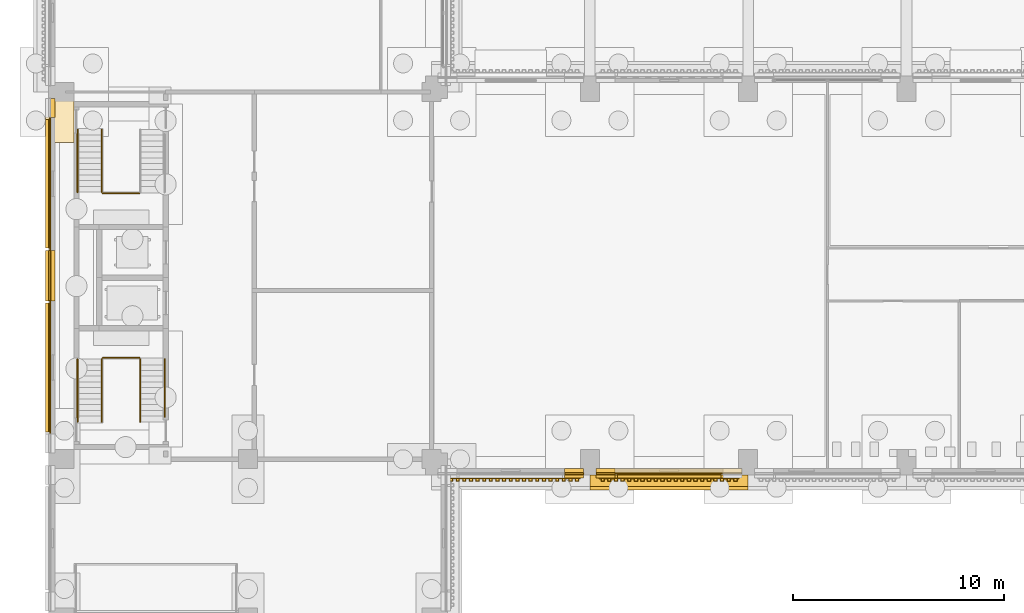
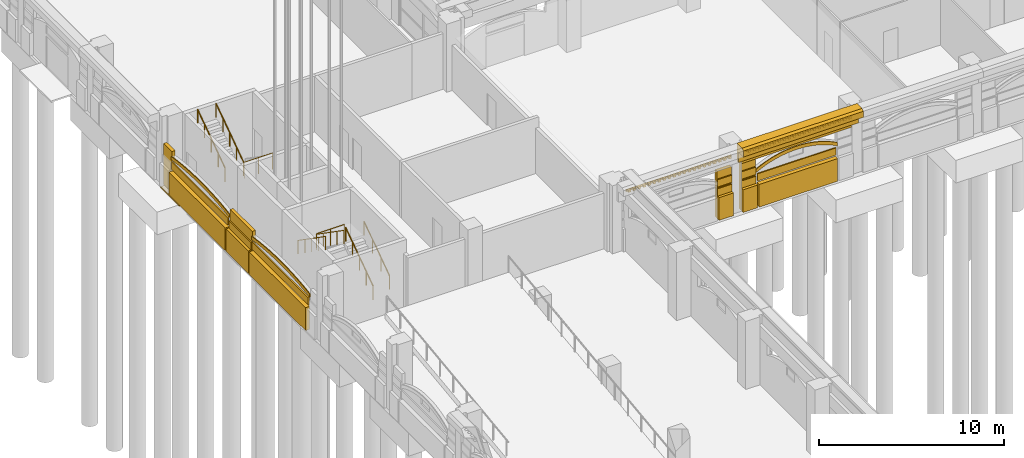
# One storey, part 64 of 99: 26 coverings, 8 railings.
"""IFC4 building model written with IfcOpenShell, lengths in metres."""

from ifc_helpers import new_model, si_unit, direction, frame, origin, origin_2d, place, context, subcontext, project, spatial, polyline, circle, outline, extrude, material, layer, layer_set, type_object, element, save


model = new_model("IFC4")

# Units and contexts
model_context = context("Model", 3, precision=1e-05, world=origin(), true_north=direction((0.0, 1.0)))
body_context = subcontext(model_context, "Body", "Model", "MODEL_VIEW")
ifc_project = project(units=[si_unit("LENGTHUNIT", "METRE"), si_unit("AREAUNIT", "SQUARE_METRE"), si_unit("VOLUMEUNIT", "CUBIC_METRE"), si_unit("PLANEANGLEUNIT", "RADIAN"), si_unit("MASSUNIT", "GRAM", prefix="KILO")], contexts=[model_context])

# Site, building, storey
site_placement = place(None, origin())
site = spatial("IfcSite", under=ifc_project, at=site_placement, CompositionType="ELEMENT")
building_placement = place(site_placement, origin())
building = spatial("IfcBuilding", under=site, at=building_placement, Name="Cour d'Honneur Mobility Palace", CompositionType="ELEMENT")
storey_placement = place(building_placement, origin())
storey = spatial("IfcBuildingStorey", under=building, at=storey_placement, Name="L00", CompositionType="ELEMENT", Elevation=0.0)

# Coverings
ifc_material_1 = material(Name="Cast limestone", Category="masonry")
ifc_layer_1 = layer(ifc_material_1, 0.050048828125)
ifc_layer_set_1 = layer_set([ifc_layer_1], Name="Cast limestone")
covering_type_1 = type_object("IfcCoveringType", Name="Arch hood", PredefinedType="CLADDING", material=ifc_layer_set_1)
covering_1_placement = place(storey_placement, frame((26.10009765625, 44.300048828125, 2.179931640625), z_axis=(0.0, -1.0, 0.0), x_axis=(0.893466628376, 0.0, 0.449129584839)))
element("IfcCovering", 1, at=covering_1_placement, inside=storey, type_object=covering_type_1, Name="Arch hood AH-8", PredefinedType="CLADDING", context=body_context, shape_type="SweptSolid", body=[
    extrude(outline(polyline([(0.0, 0.0), (0.35659251896621735, 0.0), (0.7019994885684498, -0.022795326888668588), (1.0365522012474004, -0.0666397586034293), (1.3614544754480467, -0.13022567619190017), (1.6770364335570624, -0.21235277137119013), (1.9834088964060255, -0.3122569988605455), (2.2812274285521696, -0.4297213972129261), (2.5701654177709066, -0.564308533372167), (2.850768777841922, -0.7160195773922962), (3.122709726486599, -0.8849630099968336), (3.38566048142632, -1.0712473119092998), (3.6398380041081246, -1.2755280476869282), (3.8844770791972314, -1.4982403102778272), (4.119465715808033, -1.740694058742436), (4.343818226996622, -2.004306562810686), (4.556548925819088, -2.2904950922125074), (4.655344276390369, -2.0939586097498237), (4.44272322834545, -1.807551948846934), (4.218261066379314, -1.5441575762797524), (3.983272429768512, -1.3017038278151434), (3.7387430054569535, -1.078773433723176), (3.4844558319976, -0.8747108294466162), (3.221505077057879, -0.68842652753415), (2.949564128413202, -0.5194830949296125), (2.6689607683421865, -0.3677720509094833), (2.3800227791234496, -0.2331849147502425), (2.0822042469773057, -0.11572051639786185), (1.7758317841283424, -0.015816288908506504), (1.4603594767968753, 0.06652893777185187), (1.1353475518186806, 0.12989672385925438), (0.8007948391397299, 0.17374115557401504), (0.45549752031504603, 0.1967546139637521), (0.09879535057128006, 0.19653648246268365), (0.0, 0.0)])), origin(), (0.0, 0.0, -1.0), 0.050048828125),
])
covering_2_placement = place(storey_placement, frame((-0.699951171875, 61.199951171875, 2.179931640625), z_axis=(-1.0, 0.0, 0.0), x_axis=(0.0, -0.989021640931, 0.147770747343)))
element("IfcCovering", 2, at=covering_2_placement, inside=storey, type_object=covering_type_1, Name="Arch hood AH-52", PredefinedType="CLADDING", context=body_context, shape_type="SweptSolid", body=[
    extrude(outline(polyline([(0.0, 0.0), (0.3981700822586031, 0.0), (0.7949442451920331, -0.007690654727159699), (1.190769332680788, -0.023385578228260623), (1.585403884363312, -0.04704869366068967), (1.9789200539248315, -0.07819708030133607), (2.3712817645227338, -0.11707219851175524), (2.762211478952849, -0.16387943181088951), (3.152264271623516, -0.21820801316085417), (3.5411626053305647, -0.28026332608059157), (3.9289425569166094, -0.3498039102085464), (4.315531972696423, -0.42731268626782937), (4.700725469151063, -0.5125121170542719), (5.085042043846255, -0.6052328958915449), (5.4681680827352155, -0.7059218666601461), (5.850103585817947, -0.8145790293600754), (6.2308846299370595, -0.9309629236297775), (6.263389865131418, -0.7134071378683634), (5.882644897854918, -0.5967817832371061), (5.500673317929575, -0.488366080898732), (5.117547279040615, -0.3876771101301309), (4.733266781188036, -0.2947148709313024), (4.348037207890782, -0.20975690050641527), (3.961447792110968, -0.1322481244471323), (3.573667840524924, -0.06270754031917747), (3.1847695068178745, -0.0006522273994400973), (2.7947167141472082, 0.05367635395052456), (2.4037869997170924, 0.10048358724965883), (2.0114252891191904, 0.139358705460078), (1.6179451964002838, 0.17074855246227982), (1.2232745678751469, 0.19417020753315345), (0.8274494803863919, 0.20986513103425436), (0.430711394295575, 0.21779724612296947), (0.03250523519435883, 0.21755578576141407), (0.0, 0.0)])), origin(), (0.0, 0.0, -1.0), 0.050048828125),
])
covering_3_placement = place(storey_placement, frame((-0.699951171875, 52.5, 2.179931640625), z_axis=(-1.0, 0.0, 0.0), x_axis=(0.0, -0.989021640931, 0.147770747343)))
element("IfcCovering", 3, at=covering_3_placement, inside=storey, type_object=covering_type_1, Name="Arch hood AH-53", PredefinedType="CLADDING", context=body_context, shape_type="SweptSolid", body=[
    extrude(outline(polyline([(0.0, 0.0), (0.3981700822586031, 0.0), (0.7951857055535886, -0.007726731569772757), (1.190769332680788, -0.023385578228260623), (1.585403884363312, -0.04704869366068967), (1.9789200539248315, -0.07819708030133607), (2.3712817645227338, -0.11707219851175524), (2.7624529393144046, -0.16391550865350255), (3.152264271623516, -0.21820801316085417), (3.5411626053305647, -0.28026332608059157), (3.9289425569166094, -0.3498039102085464), (4.315531972696423, -0.42731268626782937), (4.700966929512619, -0.512548193896885), (5.085042043846255, -0.6052328958915449), (5.4681680827352155, -0.7059218666601461), (5.850103585817947, -0.8145790293600754), (6.2308846299370595, -0.9309629236297775), (6.263389865131418, -0.7134071378683634), (5.882644897854918, -0.5967817832371061), (5.500673317929575, -0.488366080898732), (5.117547279040615, -0.3876771101301309), (4.7335082415495915, -0.2947509477739155), (4.348037207890782, -0.20975690050641527), (3.961447792110968, -0.1322481244471323), (3.573667840524924, -0.06270754031917747), (3.1847695068178745, -0.0006522273994400973), (2.7949581745087637, 0.05364027710791153), (2.4037869997170924, 0.10048358724965883), (2.0114252891191904, 0.139358705460078), (1.6179451964002838, 0.17074855246227982), (1.2232745678751469, 0.19417020753315345), (0.8276909407479474, 0.20982905419164133), (0.430711394295575, 0.21779724612296947), (0.03250523519435883, 0.21755578576141407), (0.0, 0.0)])), origin(), (0.0, 0.0, -1.0), 0.050048828125),
])
ifc_material_2 = material(Name="Cast limestone", Category="masonry")
ifc_layer_2 = layer(ifc_material_2, 0.14990234375)
ifc_layer_set_2 = layer_set([ifc_layer_2], Name="Cast limestone")
covering_type_2 = type_object("IfcCoveringType", Name="Dentil course", PredefinedType="CLADDING", material=ifc_layer_set_2)
covering_4_placement = place(storey_placement, frame((0.0, 0.0, 3.949951171875)))
element("IfcCovering", 4, at=covering_4_placement, inside=storey, type_object=covering_type_2, Name="Dentil course DC-5", PredefinedType="CLADDING", context=body_context, shape_type="SweptSolid", body=[
    extrude(outline(polyline([(17.85009765625, 44.10009765625), (24.449951171875, 44.10009765625), (24.449951171875, 44.070068359375), (24.449951171875, 44.070068359375), (24.371337890625, 44.070068359375), (24.371337890625, 43.949951171875), (24.21435546875, 43.949951171875), (24.21435546875, 44.070068359375), (24.1357421875, 44.070068359375), (24.1357421875, 44.070068359375), (24.05712890625, 44.070068359375), (24.05712890625, 43.949951171875), (23.89990234375, 43.949951171875), (23.89990234375, 44.070068359375), (23.821533203125, 44.070068359375), (23.821533203125, 44.070068359375), (23.742919921875, 44.070068359375), (23.742919921875, 43.949951171875), (23.585693359375, 43.949951171875), (23.585693359375, 44.070068359375), (23.507080078125, 44.070068359375), (23.507080078125, 44.070068359375), (23.428466796875, 44.070068359375), (23.428466796875, 43.949951171875), (23.271484375, 43.949951171875), (23.271484375, 44.070068359375), (23.19287109375, 44.070068359375), (23.19287109375, 44.070068359375), (23.1142578125, 44.070068359375), (23.1142578125, 43.949951171875), (22.95703125, 43.949951171875), (22.95703125, 44.070068359375), (22.878662109375, 44.070068359375), (22.878662109375, 44.070068359375), (22.800048828125, 44.070068359375), (22.800048828125, 43.949951171875), (22.642822265625, 43.949951171875), (22.642822265625, 44.070068359375), (22.564208984375, 44.070068359375), (22.564208984375, 44.070068359375), (22.485595703125, 44.070068359375), (22.485595703125, 43.949951171875), (22.32861328125, 43.949951171875), (22.32861328125, 44.070068359375), (22.25, 44.070068359375), (22.25, 44.070068359375), (22.17138671875, 44.070068359375), (22.17138671875, 43.949951171875), (22.014404296875, 43.949951171875), (22.014404296875, 44.070068359375), (21.935791015625, 44.070068359375), (21.935791015625, 44.070068359375), (21.857177734375, 44.070068359375), (21.857177734375, 43.949951171875), (21.699951171875, 43.949951171875), (21.699951171875, 44.070068359375), (21.621337890625, 44.070068359375), (21.621337890625, 44.070068359375), (21.54296875, 44.070068359375), (21.54296875, 43.949951171875), (21.3857421875, 43.949951171875), (21.3857421875, 44.070068359375), (21.30712890625, 44.070068359375), (21.30712890625, 44.070068359375), (21.228515625, 44.070068359375), (21.228515625, 43.949951171875), (21.071533203125, 43.949951171875), (21.071533203125, 44.070068359375), (20.992919921875, 44.070068359375), (20.992919921875, 44.070068359375), (20.914306640625, 44.070068359375), (20.914306640625, 43.949951171875), (20.757080078125, 43.949951171875), (20.757080078125, 44.070068359375), (20.678466796875, 44.070068359375), (20.678466796875, 44.070068359375), (20.60009765625, 44.070068359375), (20.60009765625, 43.949951171875), (20.44287109375, 43.949951171875), (20.44287109375, 44.070068359375), (20.3642578125, 44.070068359375), (20.3642578125, 44.070068359375), (20.28564453125, 44.070068359375), (20.28564453125, 43.949951171875), (20.128662109375, 43.949951171875), (20.128662109375, 44.070068359375), (20.050048828125, 44.070068359375), (20.050048828125, 44.070068359375), (19.971435546875, 44.070068359375), (19.971435546875, 43.949951171875), (19.814208984375, 43.949951171875), (19.814208984375, 44.070068359375), (19.735595703125, 44.070068359375), (19.735595703125, 44.070068359375), (19.6572265625, 44.070068359375), (19.6572265625, 43.949951171875), (19.5, 43.949951171875), (19.5, 44.070068359375), (19.42138671875, 44.070068359375), (19.42138671875, 44.070068359375), (19.3427734375, 44.070068359375), (19.3427734375, 43.949951171875), (19.185791015625, 43.949951171875), (19.185791015625, 44.070068359375), (19.107177734375, 44.070068359375), (19.107177734375, 44.070068359375), (19.028564453125, 44.070068359375), (19.028564453125, 43.949951171875), (18.871337890625, 43.949951171875), (18.871337890625, 44.070068359375), (18.79296875, 44.070068359375), (18.79296875, 44.070068359375), (18.71435546875, 44.070068359375), (18.71435546875, 43.949951171875), (18.55712890625, 43.949951171875), (18.55712890625, 44.070068359375), (18.478515625, 44.070068359375), (18.478515625, 44.070068359375), (18.39990234375, 44.070068359375), (18.39990234375, 43.949951171875), (18.242919921875, 43.949951171875), (18.242919921875, 44.070068359375), (18.164306640625, 44.070068359375), (18.164306640625, 44.070068359375), (18.085693359375, 44.070068359375), (18.085693359375, 43.949951171875), (17.928466796875, 43.949951171875), (17.928466796875, 44.070068359375), (17.85009765625, 44.070068359375), (17.85009765625, 44.10009765625)])), origin(), (0.0, 0.0, 1.0), 0.150146484375),
])
covering_5_placement = place(storey_placement, frame((0.0, 0.0, 3.949951171875)))
element("IfcCovering", 5, at=covering_5_placement, inside=storey, type_object=covering_type_2, Name="Dentil course DC-6", PredefinedType="CLADDING", context=body_context, shape_type="SweptSolid", body=[
    extrude(outline(polyline([(25.35009765625, 44.10009765625), (31.949951171875, 44.10009765625), (31.949951171875, 44.070068359375), (31.949951171875, 44.070068359375), (31.871337890625, 44.070068359375), (31.871337890625, 43.949951171875), (31.71435546875, 43.949951171875), (31.71435546875, 44.070068359375), (31.6357421875, 44.070068359375), (31.6357421875, 44.070068359375), (31.55712890625, 44.070068359375), (31.55712890625, 43.949951171875), (31.39990234375, 43.949951171875), (31.39990234375, 44.070068359375), (31.321533203125, 44.070068359375), (31.321533203125, 44.070068359375), (31.242919921875, 44.070068359375), (31.242919921875, 43.949951171875), (31.085693359375, 43.949951171875), (31.085693359375, 44.070068359375), (31.007080078125, 44.070068359375), (31.007080078125, 44.070068359375), (30.928466796875, 44.070068359375), (30.928466796875, 43.949951171875), (30.771484375, 43.949951171875), (30.771484375, 44.070068359375), (30.69287109375, 44.070068359375), (30.69287109375, 44.070068359375), (30.6142578125, 44.070068359375), (30.6142578125, 43.949951171875), (30.45703125, 43.949951171875), (30.45703125, 44.070068359375), (30.378662109375, 44.070068359375), (30.378662109375, 44.070068359375), (30.300048828125, 44.070068359375), (30.300048828125, 43.949951171875), (30.142822265625, 43.949951171875), (30.142822265625, 44.070068359375), (30.064208984375, 44.070068359375), (30.064208984375, 44.070068359375), (29.985595703125, 44.070068359375), (29.985595703125, 43.949951171875), (29.82861328125, 43.949951171875), (29.82861328125, 44.070068359375), (29.75, 44.070068359375), (29.75, 44.070068359375), (29.67138671875, 44.070068359375), (29.67138671875, 43.949951171875), (29.514404296875, 43.949951171875), (29.514404296875, 44.070068359375), (29.435791015625, 44.070068359375), (29.435791015625, 44.070068359375), (29.357177734375, 44.070068359375), (29.357177734375, 43.949951171875), (29.199951171875, 43.949951171875), (29.199951171875, 44.070068359375), (29.121337890625, 44.070068359375), (29.121337890625, 44.070068359375), (29.04296875, 44.070068359375), (29.04296875, 43.949951171875), (28.8857421875, 43.949951171875), (28.8857421875, 44.070068359375), (28.80712890625, 44.070068359375), (28.80712890625, 44.070068359375), (28.728515625, 44.070068359375), (28.728515625, 43.949951171875), (28.571533203125, 43.949951171875), (28.571533203125, 44.070068359375), (28.492919921875, 44.070068359375), (28.492919921875, 44.070068359375), (28.414306640625, 44.070068359375), (28.414306640625, 43.949951171875), (28.257080078125, 43.949951171875), (28.257080078125, 44.070068359375), (28.178466796875, 44.070068359375), (28.178466796875, 44.070068359375), (28.10009765625, 44.070068359375), (28.10009765625, 43.949951171875), (27.94287109375, 43.949951171875), (27.94287109375, 44.070068359375), (27.8642578125, 44.070068359375), (27.8642578125, 44.070068359375), (27.78564453125, 44.070068359375), (27.78564453125, 43.949951171875), (27.628662109375, 43.949951171875), (27.628662109375, 44.070068359375), (27.550048828125, 44.070068359375), (27.550048828125, 44.070068359375), (27.471435546875, 44.070068359375), (27.471435546875, 43.949951171875), (27.314208984375, 43.949951171875), (27.314208984375, 44.070068359375), (27.235595703125, 44.070068359375), (27.235595703125, 44.070068359375), (27.1572265625, 44.070068359375), (27.1572265625, 43.949951171875), (27.0, 43.949951171875), (27.0, 44.070068359375), (26.92138671875, 44.070068359375), (26.92138671875, 44.070068359375), (26.8427734375, 44.070068359375), (26.8427734375, 43.949951171875), (26.685791015625, 43.949951171875), (26.685791015625, 44.070068359375), (26.607177734375, 44.070068359375), (26.607177734375, 44.070068359375), (26.528564453125, 44.070068359375), (26.528564453125, 43.949951171875), (26.371337890625, 43.949951171875), (26.371337890625, 44.070068359375), (26.29296875, 44.070068359375), (26.29296875, 44.070068359375), (26.21435546875, 44.070068359375), (26.21435546875, 43.949951171875), (26.05712890625, 43.949951171875), (26.05712890625, 44.070068359375), (25.978515625, 44.070068359375), (25.978515625, 44.070068359375), (25.89990234375, 44.070068359375), (25.89990234375, 43.949951171875), (25.742919921875, 43.949951171875), (25.742919921875, 44.070068359375), (25.664306640625, 44.070068359375), (25.664306640625, 44.070068359375), (25.585693359375, 44.070068359375), (25.585693359375, 43.949951171875), (25.428466796875, 43.949951171875), (25.428466796875, 44.070068359375), (25.35009765625, 44.070068359375), (25.35009765625, 44.10009765625)])), origin(), (0.0, 0.0, 1.0), 0.150146484375),
])
ifc_material_3 = material(Name="Cast limestone", Category="masonry")
ifc_layer_3 = layer(ifc_material_3, 0.699951171875)
ifc_layer_set_3 = layer_set([ifc_layer_3], Name="Cast limestone")
covering_type_3 = type_object("IfcCoveringType", Name="Entablature", PredefinedType="CLADDING", material=ifc_layer_set_3)
covering_6_placement = place(storey_placement, frame((24.89990234375, 44.25, 3.39990234375), z_axis=(-1.0, 0.0, 0.0), x_axis=(0.0, -1.0, 0.0)))
element("IfcCovering", 6, at=covering_6_placement, inside=storey, type_object=covering_type_3, Name="Entablature EN-6", PredefinedType="CLADDING", context=body_context, shape_type="SweptSolid", body=[
    extrude(outline(polyline([(0.0, 0.0), (0.14990234375, 0.0), (0.14990234375, 0.7001953125), (0.699951171875, 0.7001953125), (0.699951171875, 1.10009765625), (0.550048828125, 1.2001953125), (0.0, 1.2001953125), (0.0, 0.0)])), origin(), (0.0, 0.0, -1.0), 7.5),
])
ifc_material_4 = material(Name="Granite paving", Category="masonry")
ifc_layer_4 = layer(ifc_material_4, 0.10009765625)
ifc_layer_set_4 = layer_set([ifc_layer_4], Name="Granite paving")
covering_type_4 = type_object("IfcCoveringType", Name="Entrance paving", PredefinedType="FLOORING", material=ifc_layer_set_4)
covering_7_placement = place(storey_placement, frame((0.0, 0.0, -0.10009765625)))
element("IfcCovering", 7, at=covering_7_placement, inside=storey, type_object=covering_type_4, Name="Entrance paving PV-30", PredefinedType="FLOORING", context=body_context, shape_type="SweptSolid", body=[
    extrude(outline(polyline([(-0.89990234375, 60.0), (0.449951171875, 60.0), (0.449951171875, 62.0), (-0.89990234375, 62.0), (-0.89990234375, 60.0)])), origin(), (0.0, 0.0, 1.0), 0.10009765625),
])

# Railings
ifc_material_5 = material(Name="Painted steel", Category="steel")
railing_type_1 = type_object("IfcRailingType", Name="Guardrail 1100", PredefinedType="GUARDRAIL", material=ifc_material_5)
for number, where, name in (
    (8, (1.824951171875, 49.804931640625, 2.25), "Landing guard ST-CW1"),
    (9, (1.824951171875, 57.594970703125, 2.25), "Landing guard ST-CW2"),
):
    element("IfcRailing", number, at=place(storey_placement, frame(where)), inside=storey, type_object=railing_type_1, Name=name, PredefinedType="GUARDRAIL", context=body_context, shape_type="SweptSolid", body=[
        extrude(circle(Radius=0.02490234375, at=origin_2d()), frame((0.0, 0.0, 1.0751953125), z_axis=(1.0, 0.0, 0.0), x_axis=(0.0, 1.0, 0.0)), (0.0, 0.0, 1.0), 1.72509765625),
        extrude(circle(Radius=0.02099609375, at=origin_2d()), origin(), (0.0, 0.0, 1.0), 1.050048828125),
        extrude(circle(Radius=0.02099609375, at=origin_2d()), frame((0.862548828125, 0.0, 0.0)), (0.0, 0.0, 1.0), 1.050048828125),
        extrude(circle(Radius=0.02099609375, at=origin_2d()), frame((1.72509765625, 0.0, 0.0)), (0.0, 0.0, 1.0), 1.050048828125),
    ])
ifc_material_6 = material(Name="Stainless steel", Category="steel")
railing_type_2 = type_object("IfcRailingType", Name="Handrail round 50", PredefinedType="HANDRAIL", material=ifc_material_6)
railing_1_placement = place(storey_placement, frame((4.75, 47.0, 0.34375)))
element("IfcRailing", 10, at=railing_1_placement, inside=storey, type_object=railing_type_2, Name="Handrail ST-CW1", PredefinedType="HANDRAIL", context=body_context, shape_type="SweptSolid", body=[
    extrude(circle(Radius=0.02490234375, at=origin_2d()), frame((0.0, 0.0, 0.89501953125), z_axis=(0.0, 0.821381373729, 0.570379381544), x_axis=(-1.0, 0.0, 0.0)), (0.0, 0.0, 1.0), 3.342041015625),
    extrude(circle(Radius=0.02099609375, at=origin_2d()), origin(), (0.0, 0.0, 1.0), 0.869873046875),
    extrude(circle(Radius=0.02099609375, at=origin_2d()), frame((0.0, 0.9150390625, 0.635498046875)), (0.0, 0.0, 1.0), 0.869873046875),
    extrude(circle(Radius=0.02099609375, at=origin_2d()), frame((0.0, 1.830078125, 1.270751953125)), (0.0, 0.0, 1.0), 0.869873046875),
    extrude(circle(Radius=0.02099609375, at=origin_2d()), frame((0.0, 2.7451171875, 1.90625)), (0.0, 0.0, 1.0), 0.869873046875),
])
railing_2_placement = place(storey_placement, frame((3.60009765625, 46.77490234375, 0.1875)))
element("IfcRailing", 11, at=railing_2_placement, inside=storey, type_object=railing_type_2, Name="Handrail ST-CW1", PredefinedType="HANDRAIL", context=body_context, shape_type="SweptSolid", body=[
    extrude(circle(Radius=0.02490234375, at=origin_2d()), frame((0.0, 0.0, 0.89501953125), z_axis=(0.0, 0.821389295411, 0.570367973667), x_axis=(-1.0, 0.0, 0.0)), (0.0, 0.0, 1.0), 3.615966796875),
    extrude(circle(Radius=0.02099609375, at=origin_2d()), origin(), (0.0, 0.0, 1.0), 0.869873046875),
    extrude(circle(Radius=0.02099609375, at=origin_2d()), frame((0.0, 0.74267578125, 0.515625)), (0.0, 0.0, 1.0), 0.869873046875),
    extrude(circle(Radius=0.02099609375, at=origin_2d()), frame((0.0, 1.485107421875, 1.03125)), (0.0, 0.0, 1.0), 0.869873046875),
    extrude(circle(Radius=0.02099609375, at=origin_2d()), frame((0.0, 2.2275390625, 1.546875)), (0.0, 0.0, 1.0), 0.869873046875),
    extrude(circle(Radius=0.02099609375, at=origin_2d()), frame((0.0, 2.97021484375, 2.0625)), (0.0, 0.0, 1.0), 0.869873046875),
])
for number, where, name in (
    (12, (1.77490234375, 49.7451171875, 2.4375), "Handrail ST-CW1"),
    (13, (0.625, 49.7451171875, 2.4375), "Handrail ST-CW1"),
):
    element("IfcRailing", number, at=place(storey_placement, frame(where)), inside=storey, type_object=railing_type_2, Name=name, PredefinedType="HANDRAIL", context=body_context, shape_type="SweptSolid", body=[
        extrude(circle(Radius=0.02490234375, at=origin_2d()), frame((0.0, 0.0, 0.89501953125), z_axis=(0.0, -0.821389295411, 0.570367973667), x_axis=(1.0, 0.0, 0.0)), (0.0, 0.0, 1.0), 3.615966796875),
        extrude(circle(Radius=0.02099609375, at=origin_2d()), origin(), (0.0, 0.0, 1.0), 0.869873046875),
        extrude(circle(Radius=0.02099609375, at=origin_2d()), frame((0.0, -0.74267578125, 0.515625)), (0.0, 0.0, 1.0), 0.869873046875),
        extrude(circle(Radius=0.02099609375, at=origin_2d()), frame((0.0, -1.485107421875, 1.03125)), (0.0, 0.0, 1.0), 0.869873046875),
        extrude(circle(Radius=0.02099609375, at=origin_2d()), frame((0.0, -2.2275390625, 1.546875)), (0.0, 0.0, 1.0), 0.869873046875),
        extrude(circle(Radius=0.02099609375, at=origin_2d()), frame((0.0, -2.97021484375, 2.0625)), (0.0, 0.0, 1.0), 0.869873046875),
    ])
for number, where, name in (
    (14, (1.77490234375, 57.655029296875, 2.4375), "Handrail ST-CW2"),
    (15, (0.625, 57.655029296875, 2.4375), "Handrail ST-CW2"),
):
    element("IfcRailing", number, at=place(storey_placement, frame(where)), inside=storey, type_object=railing_type_2, Name=name, PredefinedType="HANDRAIL", context=body_context, shape_type="SweptSolid", body=[
        extrude(circle(Radius=0.02490234375, at=origin_2d()), frame((0.0, 0.0, 0.89501953125), z_axis=(0.0, 0.821367329581, 0.57039960545), x_axis=(-1.0, 0.0, 0.0)), (0.0, 0.0, 1.0), 3.615966796875),
        extrude(circle(Radius=0.02099609375, at=origin_2d()), origin(), (0.0, 0.0, 1.0), 0.869873046875),
        extrude(circle(Radius=0.02099609375, at=origin_2d()), frame((0.0, 0.742431640625, 0.515625)), (0.0, 0.0, 1.0), 0.869873046875),
        extrude(circle(Radius=0.02099609375, at=origin_2d()), frame((0.0, 1.48486328125, 1.03125)), (0.0, 0.0, 1.0), 0.869873046875),
        extrude(circle(Radius=0.02099609375, at=origin_2d()), frame((0.0, 2.2275390625, 1.546875)), (0.0, 0.0, 1.0), 0.869873046875),
        extrude(circle(Radius=0.02099609375, at=origin_2d()), frame((0.0, 2.969970703125, 2.0625)), (0.0, 0.0, 1.0), 0.869873046875),
    ])

# Coverings
ifc_material_7 = material(Name="Cast limestone", Category="masonry")
ifc_layer_5 = layer(ifc_material_7, 0.25)
ifc_layer_set_5 = layer_set([ifc_layer_5], Name="Cast limestone")
covering_type_5 = type_object("IfcCoveringType", Name="Plinth course", PredefinedType="CLADDING", material=ifc_layer_set_5)
covering_8_placement = place(storey_placement, origin())
element("IfcCovering", 16, at=covering_8_placement, inside=storey, type_object=covering_type_5, Name="Plinth course PI-22", PredefinedType="CLADDING", context=body_context, shape_type="SweptSolid", body=[
    extrude(outline(polyline([(23.699951171875, 44.35009765625), (24.60009765625, 44.35009765625), (24.60009765625, 44.10009765625), (23.699951171875, 44.10009765625), (23.699951171875, 44.35009765625)])), origin(), (0.0, 0.0, 1.0), 1.5),
])
covering_9_placement = place(storey_placement, origin())
element("IfcCovering", 17, at=covering_9_placement, inside=storey, type_object=covering_type_5, Name="Plinth course PI-24", PredefinedType="CLADDING", context=body_context, shape_type="SweptSolid", body=[
    extrude(outline(polyline([(25.199951171875, 44.35009765625), (26.10009765625, 44.35009765625), (26.10009765625, 44.10009765625), (25.199951171875, 44.10009765625), (25.199951171875, 44.35009765625)])), origin(), (0.0, 0.0, 1.0), 1.5),
])
covering_10_placement = place(storey_placement, origin())
element("IfcCovering", 18, at=covering_10_placement, inside=storey, type_object=covering_type_5, Name="Plinth course PI-26", PredefinedType="CLADDING", context=body_context, shape_type="SweptSolid", body=[
    extrude(outline(polyline([(26.199951171875, 44.35009765625), (31.10009765625, 44.35009765625), (31.10009765625, 44.10009765625), (26.199951171875, 44.10009765625), (26.199951171875, 44.35009765625)])), origin(), (0.0, 0.0, 1.0), 1.5),
])
covering_11_placement = place(storey_placement, origin())
element("IfcCovering", 19, at=covering_11_placement, inside=storey, type_object=covering_type_5, Name="Plinth course PI-209", PredefinedType="CLADDING", context=body_context, shape_type="SweptSolid", body=[
    extrude(outline(polyline([(-0.64990234375, 54.89990234375), (-0.64990234375, 52.5), (-0.89990234375, 52.5), (-0.89990234375, 54.89990234375), (-0.64990234375, 54.89990234375)])), origin(), (0.0, 0.0, 1.0), 1.5),
])
covering_12_placement = place(storey_placement, origin())
element("IfcCovering", 20, at=covering_12_placement, inside=storey, type_object=covering_type_5, Name="Plinth course PI-211", PredefinedType="CLADDING", context=body_context, shape_type="SweptSolid", body=[
    extrude(outline(polyline([(-0.64990234375, 61.10009765625), (-0.64990234375, 55.0), (-0.89990234375, 55.0), (-0.89990234375, 61.10009765625), (-0.64990234375, 61.10009765625)])), origin(), (0.0, 0.0, 1.0), 1.5),
])
covering_13_placement = place(storey_placement, origin())
element("IfcCovering", 21, at=covering_13_placement, inside=storey, type_object=covering_type_5, Name="Plinth course PI-212", PredefinedType="CLADDING", context=body_context, shape_type="SweptSolid", body=[
    extrude(outline(polyline([(-0.64990234375, 52.39990234375), (-0.64990234375, 46.300048828125), (-0.89990234375, 46.300048828125), (-0.89990234375, 52.39990234375), (-0.64990234375, 52.39990234375)])), origin(), (0.0, 0.0, 1.0), 1.5),
])
ifc_material_8 = material(Name="Cast limestone", Category="masonry")
ifc_layer_6 = layer(ifc_material_8, 0.199951171875)
ifc_layer_set_6 = layer_set([ifc_layer_6], Name="Cast limestone")
covering_type_6 = type_object("IfcCoveringType", Name="Rusticated jamb panel", PredefinedType="CLADDING", material=ifc_layer_set_6)
for number, where, z_axis, x_axis, name in (
    (22, (23.699951171875, 44.35009765625, 0.0), (0.0, -1.0, 0.0), (1.0, 0.0, 0.0), "Rusticated jamb panel RP-18"),
    (23, (25.199951171875, 44.35009765625, 0.0), (0.0, -1.0, 0.0), (1.0, 0.0, 0.0), "Rusticated jamb panel RP-19"),
):
    element("IfcCovering", number, at=place(storey_placement, frame(where, z_axis=z_axis, x_axis=x_axis)), inside=storey, type_object=covering_type_6, Name=name, PredefinedType="CLADDING", context=body_context, shape_type="SweptSolid", body=[
        extrude(outline(polyline([(0.0, 0.0), (0.900146484375, 0.0), (0.900146484375, 3.10009765625), (0.0, 3.10009765625), (0.0, 0.0)])), origin(), (0.0, 0.0, -1.0), 0.199951171875),
    ])
covering_14_placement = place(storey_placement, frame((-0.64990234375, 62.10009765625, 0.0), z_axis=(-1.0, 0.0, 0.0), x_axis=(0.0, -1.0, 0.0)))
element("IfcCovering", 24, at=covering_14_placement, inside=storey, type_object=covering_type_6, Name="Rusticated jamb panel RP-177", PredefinedType="CLADDING", context=body_context, shape_type="SweptSolid", body=[
    extrude(outline(polyline([(0.0, 0.0), (0.900146484375, 0.0), (0.900146484375, 2.699951171875), (0.0, 2.699951171875), (0.0, 0.0)])), origin(), (0.0, 0.0, -1.0), 0.199951171875),
])
covering_15_placement = place(storey_placement, frame((-0.64990234375, 54.89990234375, 0.0), z_axis=(-1.0, 0.0, 0.0), x_axis=(0.0, -1.0, 0.0)))
element("IfcCovering", 25, at=covering_15_placement, inside=storey, type_object=covering_type_6, Name="Rusticated jamb panel RP-178", PredefinedType="CLADDING", context=body_context, shape_type="SweptSolid", body=[
    extrude(outline(polyline([(0.0, 0.0), (2.39990234375, 0.0), (2.39990234375, 2.699951171875), (0.0, 2.699951171875), (0.0, 0.0)])), origin(), (0.0, 0.0, -1.0), 0.199951171875),
])
ifc_material_9 = material(Name="Cast limestone", Category="masonry")
ifc_layer_7 = layer(ifc_material_9, 0.080078125)
ifc_layer_set_7 = layer_set([ifc_layer_7], Name="Cast limestone")
covering_type_7 = type_object("IfcCoveringType", Name="Rustication course", PredefinedType="CLADDING", material=ifc_layer_set_7)
for number, where, name in (
    (26, (0.0, 0.0, 1.5), "Rustication course RC-37"),
    (27, (0.0, 0.0, 2.10009765625), "Rustication course RC-38"),
):
    element("IfcCovering", number, at=place(storey_placement, frame(where)), inside=storey, type_object=covering_type_7, Name=name, PredefinedType="CLADDING", context=body_context, shape_type="SweptSolid", body=[
        extrude(outline(polyline([(23.699951171875, 44.35009765625), (24.60009765625, 44.35009765625), (24.60009765625, 44.27001953125), (23.699951171875, 44.27001953125), (23.699951171875, 44.35009765625)])), origin(), (0.0, 0.0, 1.0), 0.47998046875),
    ])
for number, where, name in (
    (28, (0.0, 0.0, 1.5), "Rustication course RC-40"),
    (29, (0.0, 0.0, 2.10009765625), "Rustication course RC-41"),
):
    element("IfcCovering", number, at=place(storey_placement, frame(where)), inside=storey, type_object=covering_type_7, Name=name, PredefinedType="CLADDING", context=body_context, shape_type="SweptSolid", body=[
        extrude(outline(polyline([(25.199951171875, 44.35009765625), (26.10009765625, 44.35009765625), (26.10009765625, 44.27001953125), (25.199951171875, 44.27001953125), (25.199951171875, 44.35009765625)])), origin(), (0.0, 0.0, 1.0), 0.47998046875),
    ])
covering_16_placement = place(storey_placement, frame((0.0, 0.0, 1.6201171875)))
element("IfcCovering", 30, at=covering_16_placement, inside=storey, type_object=covering_type_7, Name="Rustication course RC-44", PredefinedType="CLADDING", context=body_context, shape_type="SweptSolid", body=[
    extrude(outline(polyline([(26.199951171875, 44.35009765625), (31.10009765625, 44.35009765625), (31.10009765625, 44.27001953125), (26.199951171875, 44.27001953125), (26.199951171875, 44.35009765625)])), origin(), (0.0, 0.0, 1.0), 0.47998046875),
])
covering_17_placement = place(storey_placement, frame((0.0, 0.0, 1.5)))
element("IfcCovering", 31, at=covering_17_placement, inside=storey, type_object=covering_type_7, Name="Rustication course RC-384", PredefinedType="CLADDING", context=body_context, shape_type="SweptSolid", body=[
    extrude(outline(polyline([(-0.64990234375, 54.89990234375), (-0.64990234375, 52.5), (-0.72998046875, 52.5), (-0.72998046875, 54.89990234375), (-0.64990234375, 54.89990234375)])), origin(), (0.0, 0.0, 1.0), 0.47998046875),
])
covering_18_placement = place(storey_placement, frame((0.0, 0.0, 1.6201171875)))
element("IfcCovering", 32, at=covering_18_placement, inside=storey, type_object=covering_type_7, Name="Rustication course RC-386", PredefinedType="CLADDING", context=body_context, shape_type="SweptSolid", body=[
    extrude(outline(polyline([(-0.64990234375, 61.10009765625), (-0.64990234375, 55.0), (-0.72998046875, 55.0), (-0.72998046875, 61.10009765625), (-0.64990234375, 61.10009765625)])), origin(), (0.0, 0.0, 1.0), 0.47998046875),
])
covering_19_placement = place(storey_placement, frame((0.0, 0.0, 1.6201171875)))
element("IfcCovering", 33, at=covering_19_placement, inside=storey, type_object=covering_type_7, Name="Rustication course RC-387", PredefinedType="CLADDING", context=body_context, shape_type="SweptSolid", body=[
    extrude(outline(polyline([(-0.64990234375, 52.39990234375), (-0.64990234375, 46.300048828125), (-0.72998046875, 46.300048828125), (-0.72998046875, 52.39990234375), (-0.64990234375, 52.39990234375)])), origin(), (0.0, 0.0, 1.0), 0.47998046875),
])
ifc_material_10 = material(Name="Cast limestone", Category="masonry")
ifc_layer_8 = layer(ifc_material_10, 0.25)
ifc_layer_set_8 = layer_set([ifc_layer_8], Name="Cast limestone")
covering_type_8 = type_object("IfcCoveringType", Name="Spandrel cladding", PredefinedType="CLADDING", material=ifc_layer_set_8)
covering_20_placement = place(storey_placement, frame((25.199951171875, 44.550048828125, 3.10009765625), z_axis=(-1.0, 0.0, 0.0), x_axis=(0.0, -1.0, 0.0)))
element("IfcCovering", 34, at=covering_20_placement, inside=storey, type_object=covering_type_8, Name="Spandrel cladding SK-6", PredefinedType="CLADDING", context=body_context, shape_type="SweptSolid", body=[
    extrude(outline(polyline([(0.0, 0.0), (0.25, 0.0), (0.25, 1.39990234375), (0.199951171875, 1.39990234375), (0.199951171875, 0.7998046875), (0.0, 0.7998046875), (0.0, 0.0)])), origin(), (0.0, 0.0, -1.0), 6.89990234375),
])

save(model, "model.ifc")
